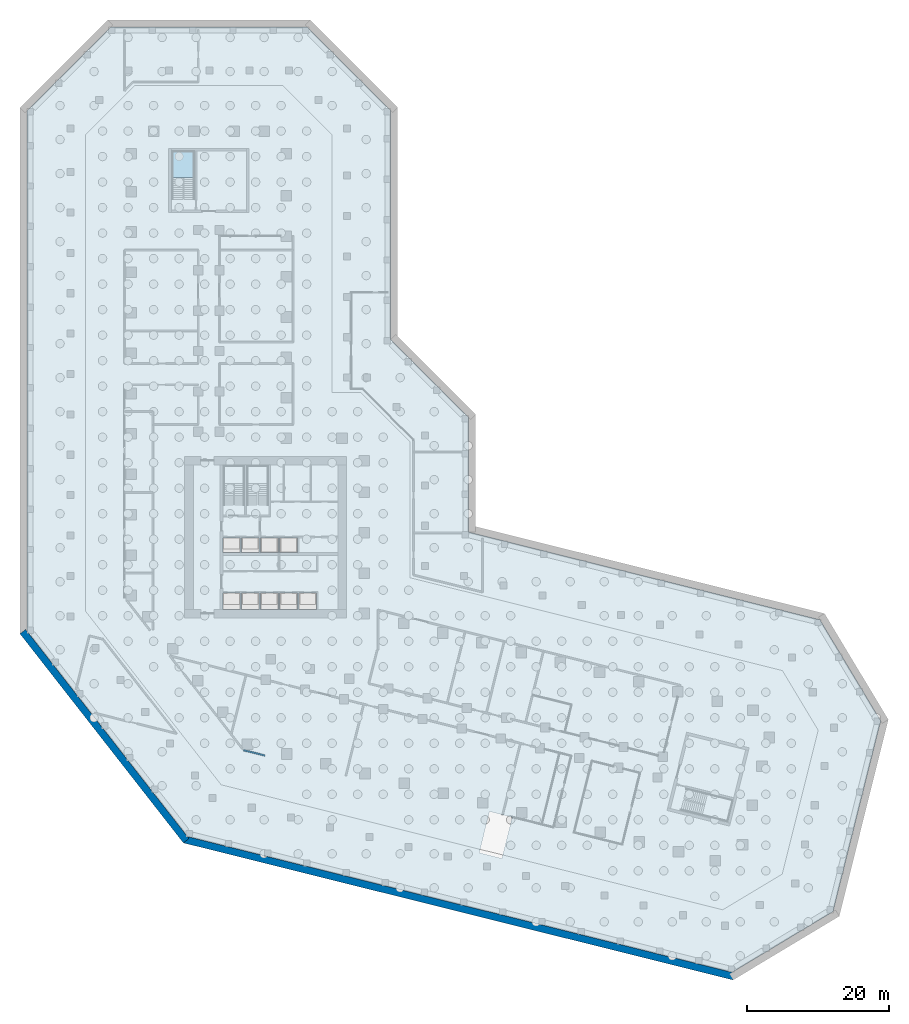
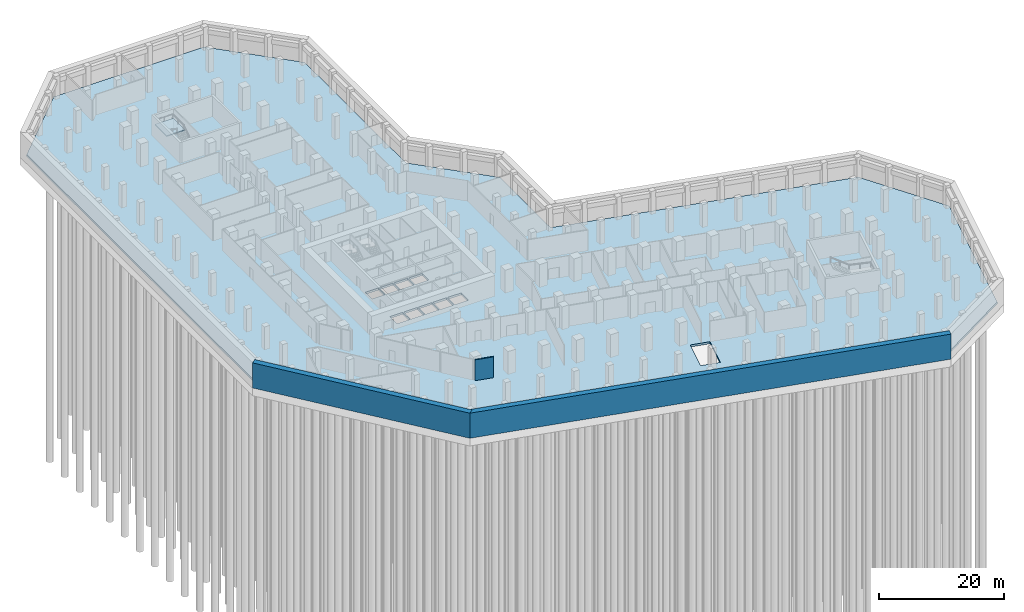
# One storey, part 5 of 15: 3 walls, 2 slabs, 1 element without a shape of its own.
"""IFC4 building model written with IfcOpenShell, lengths in metres."""

from ifc_helpers import new_model, si_unit, direction, frame, frame_2d, origin, place, context, subcontext, project, spatial, polyline, rectangle, outline, extrude, material, layer, layer_set, type_object, element, aggregate, save


model = new_model("IFC4")

# Units and contexts
model_context = context("Model", 3, precision=1e-05, world=origin(), true_north=direction((0.0, 1.0)))
body_context = subcontext(model_context, "Body", "Model", "MODEL_VIEW")
ifc_project = project(units=[si_unit("LENGTHUNIT", "METRE"), si_unit("AREAUNIT", "SQUARE_METRE"), si_unit("VOLUMEUNIT", "CUBIC_METRE"), si_unit("PLANEANGLEUNIT", "RADIAN"), si_unit("MASSUNIT", "GRAM", prefix="KILO")], contexts=[model_context])

# Site, building, storey
site_placement = place(None, origin())
site = spatial("IfcSite", under=ifc_project, at=site_placement, CompositionType="ELEMENT")
building_placement = place(site_placement, origin())
building = spatial("IfcBuilding", under=site, at=building_placement, Name="Meshkara Civic Tower", CompositionType="ELEMENT")
storey_placement = place(building_placement, frame((0.0, 0.0, -9.0)))
storey = spatial("IfcBuildingStorey", under=building, at=storey_placement, Name="B2", CompositionType="ELEMENT", Elevation=-9.0)

# Slab
ifc_material_1 = material(Name="Concrete C50", Category="concrete")
ifc_layer_1 = layer(ifc_material_1, 0.39990234375)
ifc_layer_set_1 = layer_set([ifc_layer_1], Name="Base slab 400 C50")
slab_type_1 = type_object("IfcSlabType", Name="Base slab 400 C50", PredefinedType="BASESLAB", material=ifc_layer_set_1)
slab_1_placement = place(storey_placement, frame((0.0, 0.0, -0.39990234375)))
element("IfcSlab", 1, at=slab_1_placement, inside=storey, type_object=slab_type_1, Name="Base slab", PredefinedType="BASESLAB", context=body_context, shape_type="SweptSolid", body=[
    extrude(outline(polyline([(37.050048828125, 85.702880859375), (25.282958984375, 97.469970703125), (-2.48291015625, 97.469970703125), (-14.25, 85.702880859375), (-14.25, 12.193115234375), (8.384033203125, -16.777099609375), (85.239990234375, -35.93896484375), (99.50390625, -27.367919921875), (106.221923828125, -0.427001953125), (97.64990234375, 13.8369140625), (48.050048828125, 26.2041015625), (48.050048828125, 42.383056640625), (37.050048828125, 53.383056640625), (37.050048828125, 85.702880859375)]), holes=[polyline([(13.39990234375, 15.300048828125), (13.39990234375, 17.60009765625), (15.800048828125, 17.60009765625), (15.800048828125, 15.300048828125), (13.39990234375, 15.300048828125)]), polyline([(16.0, 15.300048828125), (16.0, 17.60009765625), (18.5, 17.60009765625), (18.5, 15.300048828125), (16.0, 15.300048828125)]), polyline([(18.699951171875, 15.300048828125), (18.699951171875, 17.60009765625), (21.199951171875, 17.60009765625), (21.199951171875, 15.300048828125), (18.699951171875, 15.300048828125)]), polyline([(21.39990234375, 15.300048828125), (21.39990234375, 17.60009765625), (23.89990234375, 17.60009765625), (23.89990234375, 15.300048828125), (21.39990234375, 15.300048828125)]), polyline([(24.10009765625, 15.300048828125), (24.10009765625, 17.60009765625), (26.60009765625, 17.60009765625), (26.60009765625, 15.300048828125), (24.10009765625, 15.300048828125)]), polyline([(13.39990234375, 25.39990234375), (15.800048828125, 25.39990234375), (15.800048828125, 23.300048828125), (13.39990234375, 23.300048828125), (13.39990234375, 25.39990234375)]), polyline([(18.5, 23.300048828125), (16.0, 23.300048828125), (16.0, 25.39990234375), (18.5, 25.39990234375), (18.5, 23.300048828125)]), polyline([(18.699951171875, 25.39990234375), (21.199951171875, 25.39990234375), (21.199951171875, 23.300048828125), (18.699951171875, 23.300048828125), (18.699951171875, 25.39990234375)]), polyline([(21.39990234375, 23.300048828125), (21.39990234375, 25.39990234375), (23.89990234375, 25.39990234375), (23.89990234375, 23.300048828125), (21.39990234375, 23.300048828125)]), polyline([(51.013916015625, -13.23388671875), (49.56201171875, -19.055908203125), (52.763916015625, -19.85498046875), (54.216064453125, -14.032958984375), (51.013916015625, -13.23388671875)])]), origin(), (0.0, 0.0, 1.0), 0.39990234375),
])

# Stair, slab
ifc_material_2 = material(Name="Precast concrete C40/50", Category="concrete")
stair_type = type_object("IfcStairType", Name="Exit stair half-turn 24 risers 1500 precast", PredefinedType="HALF_TURN_STAIR", material=ifc_material_2)
stair_placement = place(storey_placement, origin())
stair = element("IfcStair", 2, at=stair_placement, inside=storey, type_object=stair_type, Name="B2 exit stair A from B2", PredefinedType="HALF_TURN_STAIR")
ifc_material_3 = material(Name="Precast concrete C40/50", Category="concrete")
ifc_layer_2 = layer(ifc_material_3, 0.199951171875)
ifc_layer_set_2 = layer_set([ifc_layer_2], Name="Exit stair landing 200")
slab_type_2 = type_object("IfcSlabType", Name="Exit stair landing 200", PredefinedType="LANDING", material=ifc_layer_set_2)
slab_2_placement = place(storey_placement, frame((0.0, 0.0, 2.050048828125)))
slab_2 = element("IfcSlab", 3, at=slab_2_placement, type_object=slab_type_2, Name="ESA1 landing 1", PredefinedType="LANDING", context=body_context, shape_type="SweptSolid", body=[
    extrude(outline(polyline([(9.5, 76.24853515625), (9.5, 79.969970703125), (6.10009765625, 79.969970703125), (6.10009765625, 76.24853515625), (9.5, 76.24853515625)])), origin(), (0.0, 0.0, 1.0), 0.199951171875),
])
aggregate(stair, [slab_2])

# Walls
ifc_material_4 = material(Name="Concrete C50", Category="concrete")
ifc_layer_3 = layer(ifc_material_4, 1.0)
ifc_layer_set_3 = layer_set([ifc_layer_3], Name="Diaphragm wall 1000 C50")
wall_type_1 = type_object("IfcWallType", Name="Diaphragm wall 1000 C50", PredefinedType="SOLIDWALL", material=ifc_layer_set_3)
wall_1_placement = place(storey_placement, frame((85.52099609375, -36.5244140625, -0.39990234375), z_axis=(0.0, 0.0, 1.0), x_axis=(-0.970296212076, 0.241919947155, 0.0)))
element("IfcWall", 4, at=wall_1_placement, inside=storey, type_object=wall_type_1, Name="Basement perimeter wall", PredefinedType="SOLIDWALL", context=body_context, shape_type="SweptSolid", body=[
    extrude(rectangle(XDim=79.96728515625, YDim=1.0, at=frame_2d((39.983642578125, 0.0))), origin(), (0.0, 0.0, 1.0), 4.89990234375),
])
wall_2_placement = place(storey_placement, frame((8.201904296875, -17.356201171875, -0.39990234375), z_axis=(0.0, 0.0, 1.0), x_axis=(-0.615661751898, 0.788010537524, 0.0)))
element("IfcWall", 5, at=wall_2_placement, inside=storey, type_object=wall_type_1, Name="Basement perimeter wall", PredefinedType="SOLIDWALL", context=body_context, shape_type="SweptSolid", body=[
    extrude(rectangle(XDim=37.4521484375, YDim=1.0, at=frame_2d((18.72607421875, 0.0))), origin(), (0.0, 0.0, 1.0), 4.89990234375),
])
ifc_material_5 = material(Name="Fire-rated wall 200")
ifc_layer_4 = layer(ifc_material_5, 0.199951171875)
ifc_layer_set_4 = layer_set([ifc_layer_4], Name="Fire-rated wall 200")
wall_type_2 = type_object("IfcWallType", Name="Fire-rated wall 200", PredefinedType="PARTITIONING", material=ifc_layer_set_4)
wall_3_placement = place(storey_placement, frame((19.2890625, -5.323974609375, 0.0), z_axis=(0.0, 0.0, 1.0), x_axis=(-0.970324286039, 0.24180731983, 0.0)))
element("IfcWall", 6, at=wall_3_placement, inside=storey, type_object=wall_type_2, Name="B2-R035", PredefinedType="PARTITIONING", context=body_context, shape_type="SweptSolid", body=[
    extrude(rectangle(XDim=3.076416015625, YDim=0.199951171875, at=frame_2d((1.5380859375, 0.0))), origin(), (0.0, 0.0, 1.0), 4.050048828125),
])

save(model, "model.ifc")
